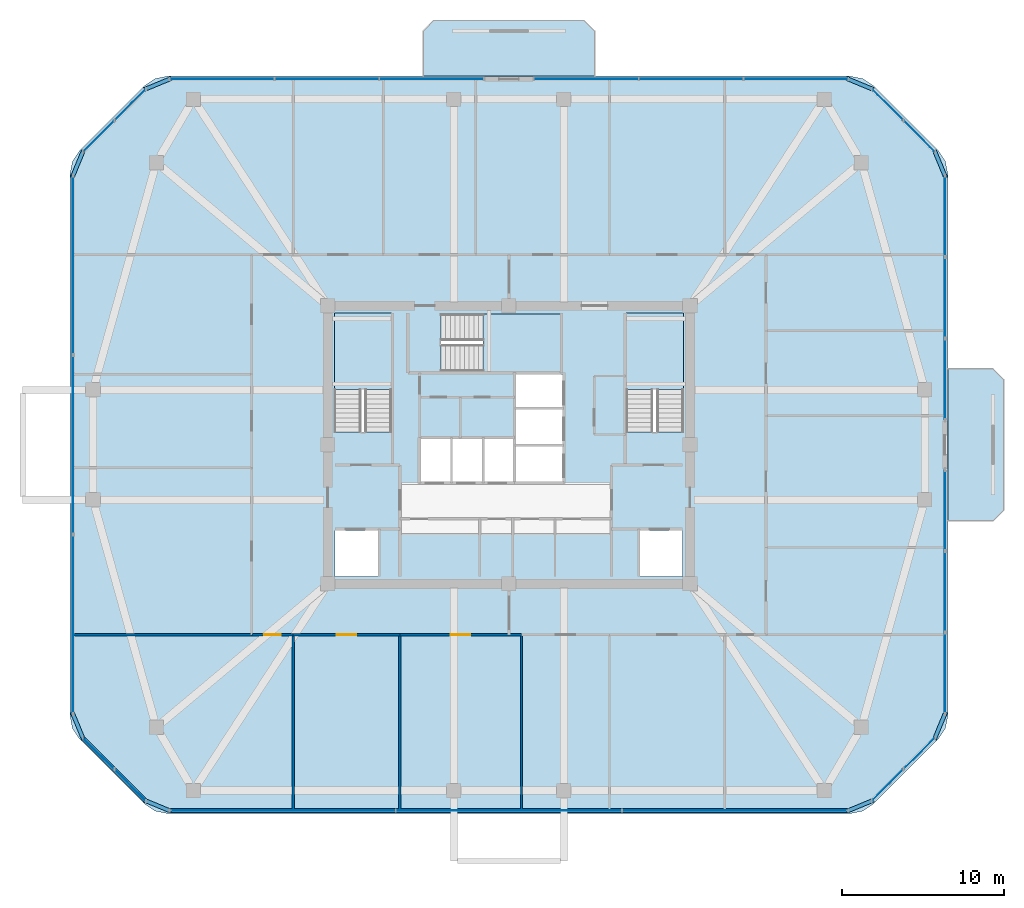
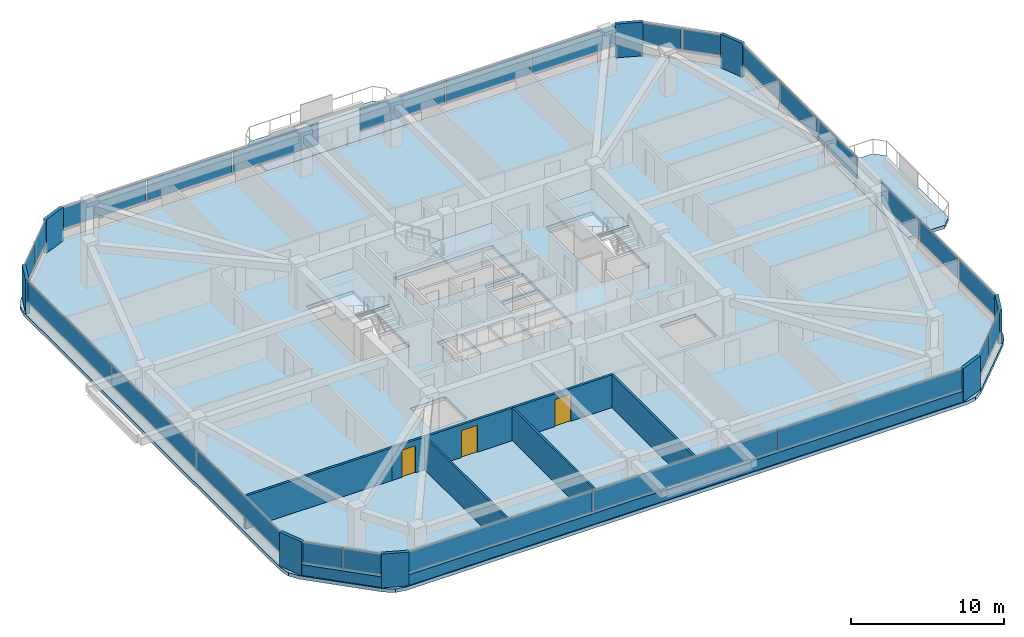
# One storey, part 8 of 14: 34 plates, 9 walls, 6 slabs, 3 doors, 3 openings, 13 elements without a shape of their own.
"""IFC4 building model written with IfcOpenShell, lengths in metres."""

from ifc_helpers import new_model, si_unit, derived_unit, direction, frame, frame_2d, origin, origin_2d, place, context, subcontext, project, spatial, polyline, rectangle, outline, extrude, material, layer, layer_set, type_object, element, fill, aggregate, save


model = new_model("IFC4")

# Units and contexts
model_context = context("Model", 3, precision=1e-05, world=origin(), true_north=direction((0.0, 1.0)))
body_context = subcontext(model_context, "Body", "Model", "MODEL_VIEW")
ifc_project = project(units=[si_unit("LENGTHUNIT", "METRE"), si_unit("AREAUNIT", "SQUARE_METRE"), si_unit("VOLUMEUNIT", "CUBIC_METRE"), si_unit("PLANEANGLEUNIT", "RADIAN"), si_unit("MASSUNIT", "GRAM", prefix="KILO"), derived_unit("THERMALTRANSMITTANCEUNIT", [(si_unit("POWERUNIT", "WATT"), 1), (si_unit("LENGTHUNIT", "METRE"), -2), (si_unit("THERMODYNAMICTEMPERATUREUNIT", "KELVIN"), -1)])], contexts=[model_context])

# Site, building, storey
site_placement = place(None, origin())
site = spatial("IfcSite", under=ifc_project, at=site_placement, CompositionType="ELEMENT")
building_placement = place(site_placement, origin())
building = spatial("IfcBuilding", under=site, at=building_placement, Name="Koralith Skygarden Medical Center", CompositionType="ELEMENT")
storey_placement = place(building_placement, frame((0.0, 0.0, 225.179931640625)))
storey = spatial("IfcBuildingStorey", under=building, at=storey_placement, Name="L58", CompositionType="ELEMENT", Elevation=225.179931640625)

# Curtain wall, plates
ifc_material_1 = material(Name="Clear Laminated Glass", Category="glass")
curtain_wall_type = type_object("IfcCurtainWallType", Name="CW-5 Zone 4 Flare Biophilic Curtain Wall", PredefinedType="NOTDEFINED", material=ifc_material_1)
curtain_wall_1_placement = place(storey_placement, origin())
curtain_wall_1 = element("IfcCurtainWall", 1, at=curtain_wall_1_placement, inside=storey, type_object=curtain_wall_type, Name="Curtain Wall CW-L58-S", PredefinedType="NOTDEFINED")
ifc_layer_1 = layer(ifc_material_1, 0.0380859375)
ifc_layer_set_1 = layer_set([ifc_layer_1], Name="Clear Laminated Glass")
plate_type_1 = type_object("IfcPlateType", Name="CW-5 Hurricane Laminated IGU Panel 38", PredefinedType="CURTAIN_PANEL", material=ifc_layer_set_1)
plate_1_placement = place(storey_placement, frame((23.009033203125, 3.280029296875, 0.919921875), z_axis=(0.0, 0.0, 1.0), x_axis=(1.0, 0.0, 0.0)))
plate_1 = element("IfcPlate", 2, at=plate_1_placement, type_object=plate_type_1, Name="CW-L58-S Glazed Panel 1", PredefinedType="CURTAIN_PANEL", context=body_context, shape_type="SweptSolid", body=[
    extrude(rectangle(XDim=13.90087890625, YDim=0.0380859375, at=origin_2d()), origin(), (0.0, 0.0, 1.0), 1.699951171875),
])
plate_2_placement = place(storey_placement, frame((37.0, 3.280029296875, 0.919921875), z_axis=(0.0, 0.0, 1.0), x_axis=(1.0, 0.0, 0.0)))
plate_2 = element("IfcPlate", 3, at=plate_2_placement, type_object=plate_type_1, Name="CW-L58-S Glazed Panel 2", PredefinedType="CURTAIN_PANEL", context=body_context, shape_type="SweptSolid", body=[
    extrude(rectangle(XDim=13.90087890625, YDim=0.0380859375, at=origin_2d()), origin(), (0.0, 0.0, 1.0), 1.699951171875),
])
plate_3_placement = place(storey_placement, frame((50.990966796875, 3.280029296875, 0.919921875), z_axis=(0.0, 0.0, 1.0), x_axis=(1.0, 0.0, 0.0)))
plate_3 = element("IfcPlate", 4, at=plate_3_placement, type_object=plate_type_1, Name="CW-L58-S Glazed Panel 3", PredefinedType="CURTAIN_PANEL", context=body_context, shape_type="SweptSolid", body=[
    extrude(rectangle(XDim=13.90087890625, YDim=0.0380859375, at=origin_2d()), origin(), (0.0, 0.0, 1.0), 1.699951171875),
])
aggregate(curtain_wall_1, [plate_1, plate_2, plate_3])

curtain_wall_2_placement = place(storey_placement, origin())
curtain_wall_2 = element("IfcCurtainWall", 5, at=curtain_wall_2_placement, inside=storey, type_object=curtain_wall_type, Name="Curtain Wall CW-L58-SE", PredefinedType="NOTDEFINED")
plate_4_placement = place(storey_placement, frame((60.4189453125, 4.862060546875, 0.919921875), z_axis=(0.0, 0.0, 1.0), x_axis=(0.707106781187, 0.707106781187, 0.0)))
plate_4 = element("IfcPlate", 6, at=plate_4_placement, type_object=plate_type_1, Name="CW-L58-SE Glazed Panel 1", PredefinedType="CURTAIN_PANEL", context=body_context, shape_type="SweptSolid", body=[
    extrude(rectangle(XDim=2.68408203125, YDim=0.0380859375, at=origin_2d()), origin(), (0.0, 0.0, 1.0), 1.699951171875),
])
plate_5_placement = place(storey_placement, frame((62.3798828125, 6.822998046875, 0.919921875), z_axis=(0.0, 0.0, 1.0), x_axis=(0.707106781187, 0.707106781187, 0.0)))
plate_5 = element("IfcPlate", 7, at=plate_5_placement, type_object=plate_type_1, Name="CW-L58-SE Glazed Panel 2", PredefinedType="CURTAIN_PANEL", context=body_context, shape_type="SweptSolid", body=[
    extrude(rectangle(XDim=2.68408203125, YDim=0.0380859375, at=origin_2d()), origin(), (0.0, 0.0, 1.0), 1.699951171875),
])
aggregate(curtain_wall_2, [plate_4, plate_5])

curtain_wall_3_placement = place(storey_placement, origin())
curtain_wall_3 = element("IfcCurtainWall", 8, at=curtain_wall_3_placement, inside=storey, type_object=curtain_wall_type, Name="Curtain Wall CW-L58-E-L", PredefinedType="NOTDEFINED")
plate_6_placement = place(storey_placement, frame((63.9619140625, 11.77294921875, 0.919921875), z_axis=(0.0, 0.0, 1.0), x_axis=(0.0, 1.0, 0.0)))
plate_6 = element("IfcPlate", 9, at=plate_6_placement, type_object=plate_type_1, Name="CW-L58-E-L Glazed Panel 1", PredefinedType="CURTAIN_PANEL", context=body_context, shape_type="SweptSolid", body=[
    extrude(rectangle(XDim=4.945068359375, YDim=0.0380859375, at=origin_2d()), origin(), (0.0, 0.0, 1.0), 1.699951171875),
])
plate_7_placement = place(storey_placement, frame((63.9619140625, 16.806884765625, 0.919921875), z_axis=(0.0, 0.0, 1.0), x_axis=(0.0, 1.0, 0.0)))
plate_7 = element("IfcPlate", 10, at=plate_7_placement, type_object=plate_type_1, Name="CW-L58-E-L Glazed Panel 2", PredefinedType="CURTAIN_PANEL", context=body_context, shape_type="SweptSolid", body=[
    extrude(rectangle(XDim=4.945068359375, YDim=0.0380859375, at=origin_2d()), origin(), (0.0, 0.0, 1.0), 1.699951171875),
])
plate_8_placement = place(storey_placement, frame((63.9619140625, 21.843017578125, 0.919921875), z_axis=(0.0, 0.0, 1.0), x_axis=(0.0, 1.0, 0.0)))
plate_8 = element("IfcPlate", 11, at=plate_8_placement, type_object=plate_type_1, Name="CW-L58-E-L Glazed Panel 3", PredefinedType="CURTAIN_PANEL", context=body_context, shape_type="SweptSolid", body=[
    extrude(rectangle(XDim=4.945068359375, YDim=0.0380859375, at=origin_2d()), origin(), (0.0, 0.0, 1.0), 1.699951171875),
])
aggregate(curtain_wall_3, [plate_6, plate_7, plate_8])

curtain_wall_4_placement = place(storey_placement, origin())
curtain_wall_4 = element("IfcCurtainWall", 12, at=curtain_wall_4_placement, inside=storey, type_object=curtain_wall_type, Name="Curtain Wall CW-L58-E-R", PredefinedType="NOTDEFINED")
plate_9_placement = place(storey_placement, frame((63.9619140625, 29.9580078125, 0.919921875), z_axis=(0.0, 0.0, 1.0), x_axis=(0.0, 1.0, 0.0)))
plate_9 = element("IfcPlate", 13, at=plate_9_placement, type_object=plate_type_1, Name="CW-L58-E-R Glazed Panel 1", PredefinedType="CURTAIN_PANEL", context=body_context, shape_type="SweptSolid", body=[
    extrude(rectangle(XDim=4.945068359375, YDim=0.0380859375, at=origin_2d()), origin(), (0.0, 0.0, 1.0), 1.699951171875),
])
plate_10_placement = place(storey_placement, frame((63.9619140625, 34.991943359375, 0.919921875), z_axis=(0.0, 0.0, 1.0), x_axis=(0.0, 1.0, 0.0)))
plate_10 = element("IfcPlate", 14, at=plate_10_placement, type_object=plate_type_1, Name="CW-L58-E-R Glazed Panel 2", PredefinedType="CURTAIN_PANEL", context=body_context, shape_type="SweptSolid", body=[
    extrude(rectangle(XDim=4.945068359375, YDim=0.0380859375, at=origin_2d()), origin(), (0.0, 0.0, 1.0), 1.699951171875),
])
plate_11_placement = place(storey_placement, frame((63.9619140625, 40.028076171875, 0.919921875), z_axis=(0.0, 0.0, 1.0), x_axis=(0.0, 1.0, 0.0)))
plate_11 = element("IfcPlate", 15, at=plate_11_placement, type_object=plate_type_1, Name="CW-L58-E-R Glazed Panel 3", PredefinedType="CURTAIN_PANEL", context=body_context, shape_type="SweptSolid", body=[
    extrude(rectangle(XDim=4.945068359375, YDim=0.0380859375, at=origin_2d()), origin(), (0.0, 0.0, 1.0), 1.699951171875),
])
aggregate(curtain_wall_4, [plate_9, plate_10, plate_11])

curtain_wall_5_placement = place(storey_placement, origin())
curtain_wall_5 = element("IfcCurtainWall", 16, at=curtain_wall_5_placement, inside=storey, type_object=curtain_wall_type, Name="Curtain Wall CW-L58-NE", PredefinedType="NOTDEFINED")
plate_12_placement = place(storey_placement, frame((62.3798828125, 44.97705078125, 0.919921875), z_axis=(0.0, 0.0, 1.0), x_axis=(-0.707106781187, 0.707106781187, 0.0)))
plate_12 = element("IfcPlate", 17, at=plate_12_placement, type_object=plate_type_1, Name="CW-L58-NE Glazed Panel 1", PredefinedType="CURTAIN_PANEL", context=body_context, shape_type="SweptSolid", body=[
    extrude(rectangle(XDim=2.68408203125, YDim=0.0380859375, at=origin_2d()), origin(), (0.0, 0.0, 1.0), 1.699951171875),
])
plate_13_placement = place(storey_placement, frame((60.4189453125, 46.93798828125, 0.919921875), z_axis=(0.0, 0.0, 1.0), x_axis=(-0.707106781187, 0.707106781187, 0.0)))
plate_13 = element("IfcPlate", 18, at=plate_13_placement, type_object=plate_type_1, Name="CW-L58-NE Glazed Panel 2", PredefinedType="CURTAIN_PANEL", context=body_context, shape_type="SweptSolid", body=[
    extrude(rectangle(XDim=2.68408203125, YDim=0.0380859375, at=origin_2d()), origin(), (0.0, 0.0, 1.0), 1.699951171875),
])
aggregate(curtain_wall_5, [plate_12, plate_13])

curtain_wall_6_placement = place(storey_placement, origin())
curtain_wall_6 = element("IfcCurtainWall", 19, at=curtain_wall_6_placement, inside=storey, type_object=curtain_wall_type, Name="Curtain Wall CW-L58-N-L", PredefinedType="NOTDEFINED")
plate_14_placement = place(storey_placement, frame((54.74609375, 48.52001953125, 0.919921875), z_axis=(0.0, 0.0, 1.0), x_axis=(-1.0, 0.0, 0.0)))
plate_14 = element("IfcPlate", 20, at=plate_14_placement, type_object=plate_type_1, Name="CW-L58-N-L Glazed Panel 1", PredefinedType="CURTAIN_PANEL", context=body_context, shape_type="SweptSolid", body=[
    extrude(rectangle(XDim=6.39208984375, YDim=0.0380859375, at=origin_2d()), origin(), (0.0, 0.0, 1.0), 1.699951171875),
])
plate_15_placement = place(storey_placement, frame((48.263916015625, 48.52001953125, 0.919921875), z_axis=(0.0, 0.0, 1.0), x_axis=(-1.0, 0.0, 0.0)))
plate_15 = element("IfcPlate", 21, at=plate_15_placement, type_object=plate_type_1, Name="CW-L58-N-L Glazed Panel 2", PredefinedType="CURTAIN_PANEL", context=body_context, shape_type="SweptSolid", body=[
    extrude(rectangle(XDim=6.39208984375, YDim=0.0380859375, at=origin_2d()), origin(), (0.0, 0.0, 1.0), 1.699951171875),
])
plate_16_placement = place(storey_placement, frame((41.781982421875, 48.52001953125, 0.919921875), z_axis=(0.0, 0.0, 1.0), x_axis=(-1.0, 0.0, 0.0)))
plate_16 = element("IfcPlate", 22, at=plate_16_placement, type_object=plate_type_1, Name="CW-L58-N-L Glazed Panel 3", PredefinedType="CURTAIN_PANEL", context=body_context, shape_type="SweptSolid", body=[
    extrude(rectangle(XDim=6.39208984375, YDim=0.0380859375, at=origin_2d()), origin(), (0.0, 0.0, 1.0), 1.699951171875),
])
aggregate(curtain_wall_6, [plate_14, plate_15, plate_16])

curtain_wall_7_placement = place(storey_placement, origin())
curtain_wall_7 = element("IfcCurtainWall", 23, at=curtain_wall_7_placement, inside=storey, type_object=curtain_wall_type, Name="Curtain Wall CW-L58-N-R", PredefinedType="NOTDEFINED")
plate_17_placement = place(storey_placement, frame((32.219970703125, 48.52001953125, 0.919921875), z_axis=(0.0, 0.0, 1.0), x_axis=(-1.0, 0.0, 0.0)))
plate_17 = element("IfcPlate", 24, at=plate_17_placement, type_object=plate_type_1, Name="CW-L58-N-R Glazed Panel 1", PredefinedType="CURTAIN_PANEL", context=body_context, shape_type="SweptSolid", body=[
    extrude(rectangle(XDim=6.39306640625, YDim=0.0380859375, at=origin_2d()), origin(), (0.0, 0.0, 1.0), 1.699951171875),
])
plate_18_placement = place(storey_placement, frame((25.737060546875, 48.52001953125, 0.919921875), z_axis=(0.0, 0.0, 1.0), x_axis=(-1.0, 0.0, 0.0)))
plate_18 = element("IfcPlate", 25, at=plate_18_placement, type_object=plate_type_1, Name="CW-L58-N-R Glazed Panel 2", PredefinedType="CURTAIN_PANEL", context=body_context, shape_type="SweptSolid", body=[
    extrude(rectangle(XDim=6.39306640625, YDim=0.0380859375, at=origin_2d()), origin(), (0.0, 0.0, 1.0), 1.699951171875),
])
plate_19_placement = place(storey_placement, frame((19.25390625, 48.52001953125, 0.919921875), z_axis=(0.0, 0.0, 1.0), x_axis=(-1.0, 0.0, 0.0)))
plate_19 = element("IfcPlate", 26, at=plate_19_placement, type_object=plate_type_1, Name="CW-L58-N-R Glazed Panel 3", PredefinedType="CURTAIN_PANEL", context=body_context, shape_type="SweptSolid", body=[
    extrude(rectangle(XDim=6.39306640625, YDim=0.0380859375, at=origin_2d()), origin(), (0.0, 0.0, 1.0), 1.699951171875),
])
aggregate(curtain_wall_7, [plate_17, plate_18, plate_19])

curtain_wall_8_placement = place(storey_placement, origin())
curtain_wall_8 = element("IfcCurtainWall", 27, at=curtain_wall_8_placement, inside=storey, type_object=curtain_wall_type, Name="Curtain Wall CW-L58-NW", PredefinedType="NOTDEFINED")
plate_20_placement = place(storey_placement, frame((13.5810546875, 46.93798828125, 0.919921875), z_axis=(0.0, 0.0, 1.0), x_axis=(-0.707106781187, -0.707106781187, 0.0)))
plate_20 = element("IfcPlate", 28, at=plate_20_placement, type_object=plate_type_1, Name="CW-L58-NW Glazed Panel 1", PredefinedType="CURTAIN_PANEL", context=body_context, shape_type="SweptSolid", body=[
    extrude(rectangle(XDim=2.68408203125, YDim=0.0380859375, at=origin_2d()), origin(), (0.0, 0.0, 1.0), 1.699951171875),
])
plate_21_placement = place(storey_placement, frame((11.6201171875, 44.97705078125, 0.919921875), z_axis=(0.0, 0.0, 1.0), x_axis=(-0.707106781187, -0.707106781187, 0.0)))
plate_21 = element("IfcPlate", 29, at=plate_21_placement, type_object=plate_type_1, Name="CW-L58-NW Glazed Panel 2", PredefinedType="CURTAIN_PANEL", context=body_context, shape_type="SweptSolid", body=[
    extrude(rectangle(XDim=2.68408203125, YDim=0.0380859375, at=origin_2d()), origin(), (0.0, 0.0, 1.0), 1.699951171875),
])
aggregate(curtain_wall_8, [plate_20, plate_21])

curtain_wall_9_placement = place(storey_placement, origin())
curtain_wall_9 = element("IfcCurtainWall", 30, at=curtain_wall_9_placement, inside=storey, type_object=curtain_wall_type, Name="Curtain Wall CW-L58-W", PredefinedType="NOTDEFINED")
plate_22_placement = place(storey_placement, frame((10.0380859375, 36.9970703125, 0.919921875), z_axis=(0.0, 0.0, 1.0), x_axis=(0.0, -1.0, 0.0)))
plate_22 = element("IfcPlate", 31, at=plate_22_placement, type_object=plate_type_1, Name="CW-L58-W Glazed Panel 1", PredefinedType="CURTAIN_PANEL", context=body_context, shape_type="SweptSolid", body=[
    extrude(rectangle(XDim=11.007080078125, YDim=0.0380859375, at=origin_2d()), origin(), (0.0, 0.0, 1.0), 1.699951171875),
])
plate_23_placement = place(storey_placement, frame((10.0380859375, 25.89990234375, 0.919921875), z_axis=(0.0, 0.0, 1.0), x_axis=(0.0, -1.0, 0.0)))
plate_23 = element("IfcPlate", 32, at=plate_23_placement, type_object=plate_type_1, Name="CW-L58-W Glazed Panel 2", PredefinedType="CURTAIN_PANEL", context=body_context, shape_type="SweptSolid", body=[
    extrude(rectangle(XDim=11.007080078125, YDim=0.0380859375, at=origin_2d()), origin(), (0.0, 0.0, 1.0), 1.699951171875),
])
plate_24_placement = place(storey_placement, frame((10.0380859375, 14.802978515625, 0.919921875), z_axis=(0.0, 0.0, 1.0), x_axis=(0.0, -1.0, 0.0)))
plate_24 = element("IfcPlate", 33, at=plate_24_placement, type_object=plate_type_1, Name="CW-L58-W Glazed Panel 3", PredefinedType="CURTAIN_PANEL", context=body_context, shape_type="SweptSolid", body=[
    extrude(rectangle(XDim=11.007080078125, YDim=0.0380859375, at=origin_2d()), origin(), (0.0, 0.0, 1.0), 1.699951171875),
])
aggregate(curtain_wall_9, [plate_22, plate_23, plate_24])

curtain_wall_10_placement = place(storey_placement, origin())
curtain_wall_10 = element("IfcCurtainWall", 34, at=curtain_wall_10_placement, inside=storey, type_object=curtain_wall_type, Name="Curtain Wall CW-L58-SW", PredefinedType="NOTDEFINED")
plate_25_placement = place(storey_placement, frame((11.6201171875, 6.822998046875, 0.919921875), z_axis=(0.0, 0.0, 1.0), x_axis=(0.707106781187, -0.707106781187, 0.0)))
plate_25 = element("IfcPlate", 35, at=plate_25_placement, type_object=plate_type_1, Name="CW-L58-SW Glazed Panel 1", PredefinedType="CURTAIN_PANEL", context=body_context, shape_type="SweptSolid", body=[
    extrude(rectangle(XDim=2.68408203125, YDim=0.0380859375, at=origin_2d()), origin(), (0.0, 0.0, 1.0), 1.699951171875),
])
plate_26_placement = place(storey_placement, frame((13.5810546875, 4.862060546875, 0.919921875), z_axis=(0.0, 0.0, 1.0), x_axis=(0.707106781187, -0.707106781187, 0.0)))
plate_26 = element("IfcPlate", 36, at=plate_26_placement, type_object=plate_type_1, Name="CW-L58-SW Glazed Panel 2", PredefinedType="CURTAIN_PANEL", context=body_context, shape_type="SweptSolid", body=[
    extrude(rectangle(XDim=2.68408203125, YDim=0.0380859375, at=origin_2d()), origin(), (0.0, 0.0, 1.0), 1.699951171875),
])
aggregate(curtain_wall_10, [plate_25, plate_26])

# Slabs
ifc_material_2 = material(Name="Concrete C45/55", Category="concrete")
ifc_layer_2 = layer(ifc_material_2, 0.260009765625)
ifc_layer_set_2 = layer_set([ifc_layer_2], Name="Concrete C45/55")
slab_type_1 = type_object("IfcSlabType", Name="Cantilevered Planted Balcony Slab 260", PredefinedType="FLOOR", material=ifc_layer_set_2)
slab_1_placement = place(storey_placement, frame((0.0, 0.0, -0.260009765625)))
element("IfcSlab", 37, at=slab_1_placement, inside=storey, type_object=slab_type_1, Name="L58 N Planted Sky-Garden Balcony Slab", PredefinedType="FLOOR", context=body_context, shape_type="SweptSolid", body=[
    extrude(outline(polyline([(31.699951171875, 48.699951171875), (42.300048828125, 48.699951171875), (42.300048828125, 51.5), (41.64990234375, 52.14990234375), (32.35009765625, 52.14990234375), (31.699951171875, 51.5), (31.699951171875, 48.699951171875)])), origin(), (0.0, 0.0, 1.0), 0.260009765625),
])
slab_2_placement = place(storey_placement, frame((0.0, 0.0, -0.260009765625)))
element("IfcSlab", 38, at=slab_2_placement, inside=storey, type_object=slab_type_1, Name="L58 E Planted Sky-Garden Balcony Slab", PredefinedType="FLOOR", context=body_context, shape_type="SweptSolid", body=[
    extrude(outline(polyline([(64.14208984375, 21.199951171875), (66.94189453125, 21.199951171875), (67.592041015625, 21.85009765625), (67.592041015625, 29.949951171875), (66.94189453125, 30.60009765625), (64.14208984375, 30.60009765625), (64.14208984375, 21.199951171875)])), origin(), (0.0, 0.0, 1.0), 0.260009765625),
])

# Stair, slab
stair_type = type_object("IfcStairType", Name="Core Exit Dogleg Concrete Stair", PredefinedType="HALF_TURN_STAIR", material=ifc_material_2)
stair_1_placement = place(storey_placement, origin())
stair_1 = element("IfcStair", 39, at=stair_1_placement, inside=storey, type_object=stair_type, Name="L58 Smokeproof Exit Stair ST1", PredefinedType="HALF_TURN_STAIR")
ifc_layer_3 = layer(ifc_material_2, 0.199951171875)
ifc_layer_set_3 = layer_set([ifc_layer_3], Name="Concrete C45/55")
slab_type_2 = type_object("IfcSlabType", Name="Core Exit Concrete Stair Landing 200", PredefinedType="LANDING", material=ifc_layer_set_3)
slab_3_placement = place(storey_placement, frame((0.0, 0.0, 1.60009765625)))
slab_3 = element("IfcSlab", 40, at=slab_3_placement, type_object=slab_type_2, Name="ST1 landing 1", PredefinedType="LANDING", context=body_context, shape_type="SweptSolid", body=[
    extrude(outline(polyline([(29.75, 29.31005859375), (29.75, 34.050048828125), (26.199951171875, 34.050048828125), (26.199951171875, 29.31005859375), (29.75, 29.31005859375)])), origin(), (0.0, 0.0, 1.0), 0.199951171875),
])
aggregate(stair_1, [slab_3])

stair_2_placement = place(storey_placement, origin())
stair_2 = element("IfcStair", 41, at=stair_2_placement, inside=storey, type_object=stair_type, Name="L58 Smokeproof Exit Stair ST2", PredefinedType="HALF_TURN_STAIR")
slab_4_placement = place(storey_placement, frame((0.0, 0.0, 1.60009765625)))
slab_4 = element("IfcSlab", 42, at=slab_4_placement, type_object=slab_type_2, Name="ST2 landing 1", PredefinedType="LANDING", context=body_context, shape_type="SweptSolid", body=[
    extrude(outline(polyline([(47.800048828125, 29.31005859375), (47.800048828125, 34.050048828125), (44.25, 34.050048828125), (44.25, 29.31005859375), (47.800048828125, 29.31005859375)])), origin(), (0.0, 0.0, 1.0), 0.199951171875),
])
aggregate(stair_2, [slab_4])

stair_3_placement = place(storey_placement, origin())
stair_3 = element("IfcStair", 43, at=stair_3_placement, inside=storey, type_object=stair_type, Name="L58 Smokeproof Exit Stair ST3", PredefinedType="HALF_TURN_STAIR")
slab_5_placement = place(storey_placement, frame((0.0, 0.0, 1.60009765625)))
slab_5 = element("IfcSlab", 44, at=slab_5_placement, type_object=slab_type_2, Name="ST3 landing 1", PredefinedType="LANDING", context=body_context, shape_type="SweptSolid", body=[
    extrude(outline(polyline([(35.409912109375, 30.449951171875), (40.199951171875, 30.449951171875), (40.199951171875, 34.0), (35.409912109375, 34.0), (35.409912109375, 30.449951171875)])), origin(), (0.0, 0.0, 1.0), 0.199951171875),
])
aggregate(stair_3, [slab_5])

# Slab
ifc_layer_4 = layer(ifc_material_2, 0.280029296875)
ifc_layer_set_4 = layer_set([ifc_layer_4], Name="Concrete C45/55")
slab_type_3 = type_object("IfcSlabType", Name="Post-Tensioned Ward Floor Plate 280", PredefinedType="FLOOR", material=ifc_layer_set_4)
slab_6_placement = place(storey_placement, frame((0.0, 0.0, -0.280029296875)))
element("IfcSlab", 45, at=slab_6_placement, inside=storey, type_object=slab_type_3, Name="Level L58 Structural Floor Slab", PredefinedType="FLOOR", context=body_context, shape_type="SweptSolid", body=[
    extrude(outline(polyline([(14.471923828125, 3.68603515625), (15.12109375, 3.251953125), (15.885986328125, 3.10009765625), (58.114013671875, 3.10009765625), (58.87890625, 3.251953125), (59.528076171875, 3.68603515625), (63.555908203125, 7.714111328125), (63.989990234375, 8.363037109375), (64.14208984375, 9.1279296875), (64.14208984375, 42.672119140625), (63.989990234375, 43.43701171875), (63.555908203125, 44.0859375), (59.528076171875, 48.114013671875), (58.87890625, 48.548095703125), (58.114013671875, 48.699951171875), (15.885986328125, 48.699951171875), (15.12109375, 48.548095703125), (14.471923828125, 48.114013671875), (10.444091796875, 44.0859375), (10.010009765625, 43.43701171875), (9.85791015625, 42.672119140625), (9.85791015625, 9.1279296875), (10.010009765625, 8.363037109375), (10.444091796875, 7.714111328125), (14.471923828125, 3.68603515625)]), holes=[polyline([(26.199951171875, 26.705078125), (29.75, 26.705078125), (29.75, 34.050048828125), (26.199951171875, 34.050048828125), (26.199951171875, 26.705078125)]), polyline([(44.25, 26.705078125), (47.800048828125, 26.705078125), (47.800048828125, 34.050048828125), (44.25, 34.050048828125), (44.25, 26.705078125)]), polyline([(32.804931640625, 30.449951171875), (40.199951171875, 30.449951171875), (40.199951171875, 34.0), (32.804931640625, 34.0), (32.804931640625, 30.449951171875)]), polyline([(26.25, 17.75), (28.89990234375, 17.75), (28.89990234375, 20.60009765625), (26.25, 20.60009765625), (26.25, 17.75)]), polyline([(45.10009765625, 17.75), (47.75, 17.75), (47.75, 20.60009765625), (45.10009765625, 20.60009765625), (45.10009765625, 17.75)]), polyline([(31.550048828125, 23.64990234375), (33.39990234375, 23.64990234375), (33.39990234375, 26.25), (31.550048828125, 26.25), (31.550048828125, 23.64990234375)]), polyline([(33.5, 23.64990234375), (35.35009765625, 23.64990234375), (35.35009765625, 26.25), (33.5, 26.25), (33.5, 23.64990234375)]), polyline([(35.449951171875, 23.64990234375), (37.300048828125, 23.64990234375), (37.300048828125, 26.25), (35.449951171875, 26.25), (35.449951171875, 23.64990234375)]), polyline([(37.449951171875, 23.64990234375), (40.300048828125, 23.64990234375), (40.300048828125, 25.800048828125), (37.449951171875, 25.800048828125), (37.449951171875, 23.64990234375)]), polyline([(37.449951171875, 25.949951171875), (40.300048828125, 25.949951171875), (40.300048828125, 28.10009765625), (37.449951171875, 28.10009765625), (37.449951171875, 25.949951171875)]), polyline([(37.449951171875, 28.25), (40.300048828125, 28.25), (40.300048828125, 30.25), (37.449951171875, 30.25), (37.449951171875, 28.25)])]), origin(), (0.0, 0.0, 1.0), 0.280029296875),
])

# Plates
ifc_material_3 = material(Name="Warm Oolitic Limestone Cladding", Category="masonry")
ifc_layer_5 = layer(ifc_material_3, 0.239990234375)
ifc_layer_set_5 = layer_set([ifc_layer_5], Name="Warm Oolitic Limestone Cladding")
plate_type_2 = type_object("IfcPlateType", Name="Rounded-Corner Oolitic Limestone Cladding Panel 240", PredefinedType="USERDEFINED", material=ifc_layer_set_5)
for number, where, z_axis, x_axis, name in (
    (46, (58.712890625, 3.580078125, 0.0), (0.0, 0.0, 1.0), (0.92388487569, 0.382670532536, 0.0), "L58 Rounded-Corner Limestone Pier 1"),
    (47, (63.662109375, 8.530029296875, 0.0), (0.0, 0.0, 1.0), (0.382670532536, 0.92388487569, 0.0), "L58 Rounded-Corner Limestone Pier 2"),
    (48, (63.662109375, 43.27001953125, 0.0), (0.0, 0.0, 1.0), (-0.382670532536, 0.92388487569, 0.0), "L58 Rounded-Corner Limestone Pier 3"),
    (49, (58.712890625, 48.218994140625, 0.0), (0.0, 0.0, 1.0), (-0.92388487569, 0.382670532536, 0.0), "L58 Rounded-Corner Limestone Pier 4"),
    (50, (15.2880859375, 48.218994140625, 0.0), (0.0, 0.0, 1.0), (-0.92388487569, -0.382670532536, 0.0), "L58 Rounded-Corner Limestone Pier 5"),
    (51, (10.337890625, 43.27001953125, 0.0), (0.0, 0.0, 1.0), (-0.382670532536, -0.92388487569, 0.0), "L58 Rounded-Corner Limestone Pier 6"),
    (52, (10.337890625, 8.530029296875, 0.0), (0.0, 0.0, 1.0), (0.382670532536, -0.92388487569, 0.0), "L58 Rounded-Corner Limestone Pier 7"),
    (53, (15.2880859375, 3.580078125, 0.0), (0.0, 0.0, 1.0), (0.92388487569, -0.382670532536, 0.0), "L58 Rounded-Corner Limestone Pier 8"),
):
    element("IfcPlate", number, at=place(storey_placement, frame(where, z_axis=z_axis, x_axis=x_axis)), inside=storey, type_object=plate_type_2, Name=name, ObjectType="LIMESTONE CLADDING", PredefinedType="USERDEFINED", context=body_context, shape_type="SweptSolid", body=[
        extrude(rectangle(XDim=1.81103515625, YDim=0.239990234375, at=origin_2d()), origin(), (0.0, 0.0, 1.0), 2.68994140625),
    ])

# Walls
ifc_material_4 = material(Name="Gypsum Board Partition")
ifc_layer_6 = layer(ifc_material_4, 0.14990234375)
ifc_layer_set_6 = layer_set([ifc_layer_6], Name="Gypsum Board Partition")
wall_type_1 = type_object("IfcWallType", Name="Clinical Acoustic Partition 150", PredefinedType="PARTITIONING", material=ifc_layer_set_6)
for number, where, z_axis, x_axis, name in (
    (54, (23.64990234375, 14.14990234375, 0.0), (0.0, 0.0, 1.0), (0.0, -1.0, 0.0), "L58 Clinical Acoustic Partition 150 W-PART-L58-S-01"),
    (55, (30.260009765625, 14.14990234375, 0.0), (0.0, 0.0, 1.0), (0.0, -1.0, 0.0), "L58 Clinical Acoustic Partition 150 W-PART-L58-S-02"),
    (56, (37.777099609375, 14.14990234375, 0.0), (0.0, 0.0, 1.0), (0.0, -1.0, 0.0), "L58 Clinical Acoustic Partition 150 W-PART-L58-S-03"),
):
    element("IfcWall", number, at=place(storey_placement, frame(where, z_axis=z_axis, x_axis=x_axis)), inside=storey, type_object=wall_type_1, Name=name, PredefinedType="PARTITIONING", context=body_context, shape_type="SweptSolid", body=[
        extrude(rectangle(XDim=10.849853515625, YDim=0.14990234375, at=frame_2d((5.4248046875, 0.0))), origin(), (0.0, 0.0, 1.0), 2.610107421875),
    ])
ifc_layer_7 = layer(ifc_material_4, 0.1650390625)
ifc_layer_set_7 = layer_set([ifc_layer_7], Name="Gypsum Board Partition")
wall_type_2 = type_object("IfcWallType", Name="Clinical Corridor Partition 165", PredefinedType="PARTITIONING", material=ifc_layer_set_7)
wall_1_placement = place(storey_placement, frame((10.05810546875, 14.14990234375, 0.0), z_axis=(0.0, 0.0, 1.0), x_axis=(1.0, 0.0, 0.0)))
element("IfcWall", 57, at=wall_1_placement, inside=storey, type_object=wall_type_2, Name="L58 Clinical Corridor Partition 165 W-WB-L58-SW", PredefinedType="PARTITIONING", context=body_context, shape_type="SweptSolid", body=[
    extrude(rectangle(XDim=11.0419921875, YDim=0.1650390625, at=frame_2d((5.52099609375, 0.0))), origin(), (0.0, 0.0, 1.0), 2.610107421875),
])

# Wall, opening, door
wall_2_placement = place(storey_placement, frame((21.10009765625, 14.14990234375, 0.0), z_axis=(0.0, 0.0, 1.0), x_axis=(1.0, 0.0, 0.0)))
wall_2 = element("IfcWall", 58, at=wall_2_placement, inside=storey, type_object=wall_type_2, Name="L58 Clinical Corridor Partition 165 W-CORR-L58-S-01", PredefinedType="PARTITIONING", context=body_context, shape_type="SweptSolid", body=[
    extrude(rectangle(XDim=2.5498046875, YDim=0.1650390625, at=frame_2d((1.27490234375, 0.0))), origin(), (0.0, 0.0, 1.0), 2.610107421875),
])
opening_1_placement = place(wall_2_placement, frame((0.77490234375, 0.0, 0.0)))
opening_1 = element("IfcOpeningElement", 59, at=opening_1_placement, cuts=wall_2, Name="Opening D-SUP", PredefinedType="OPENING", context=body_context, shape_type="SweptSolid", body=[
    extrude(rectangle(XDim=1.0, YDim=2.14990234375, at=frame_2d((0.5, 1.074951171875))), frame((0.0, 0.092529296875, 0.0), z_axis=(0.0, -1.0, 0.0), x_axis=(1.0, 0.0, 0.0)), (0.0, 0.0, 1.0), 0.18505859375),
])
ifc_material_5 = material(Name="Aluminium 6063-T6", Category="aluminium")
door_type_1 = type_object("IfcDoorType", Name="Clinical Support Door D-SUP 1000", OperationType="NOTDEFINED", PredefinedType="DOOR", material=ifc_material_5)
door_1_placement = place(opening_1_placement, frame((1.0, 0.0, 0.0), z_axis=(0.0, 0.0, 1.0), x_axis=(-1.0, 0.0, 0.0)))
door_1 = element("IfcDoor", 60, at=door_1_placement, inside=storey, type_object=door_type_1, Name="L58 Care Coordinator Office 07 Door", OperationType="SINGLE_SWING_RIGHT", OverallHeight=2.14990234375, OverallWidth=1.0, PredefinedType="DOOR", context=body_context, shape_type="SweptSolid", body=[
    extrude(rectangle(XDim=1.0, YDim=2.14990234375, at=frame_2d((0.5, 1.074951171875))), frame((0.0, 0.02490234375, 0.0), z_axis=(0.0, -1.0, 0.0), x_axis=(1.0, 0.0, 0.0)), (0.0, 0.0, 1.0), 0.050048828125),
])
fill(opening_1, door_1)

wall_3_placement = place(storey_placement, frame((23.64990234375, 14.14990234375, 0.0), z_axis=(0.0, 0.0, 1.0), x_axis=(1.0, 0.0, 0.0)))
wall_3 = element("IfcWall", 61, at=wall_3_placement, inside=storey, type_object=wall_type_2, Name="L58 Clinical Corridor Partition 165 W-CORR-L58-S-02", PredefinedType="PARTITIONING", context=body_context, shape_type="SweptSolid", body=[
    extrude(rectangle(XDim=6.610107421875, YDim=0.1650390625, at=frame_2d((3.30517578125, 0.0))), origin(), (0.0, 0.0, 1.0), 2.610107421875),
])
opening_2_placement = place(wall_3_placement, frame((2.705078125, 0.0, 0.0)))
opening_2 = element("IfcOpeningElement", 62, at=opening_2_placement, cuts=wall_3, Name="Opening D-CLN", PredefinedType="OPENING", context=body_context, shape_type="SweptSolid", body=[
    extrude(rectangle(XDim=1.199951171875, YDim=2.14990234375, at=frame_2d((0.60009765625, 1.074951171875))), frame((0.0, 0.092529296875, 0.0), z_axis=(0.0, -1.0, 0.0), x_axis=(1.0, 0.0, 0.0)), (0.0, 0.0, 1.0), 0.18505859375),
])
door_type_2 = type_object("IfcDoorType", Name="Clinical Corridor Door D-CLN 1200", OperationType="NOTDEFINED", PredefinedType="DOOR", material=ifc_material_5)
door_2_placement = place(opening_2_placement, frame((1.199951171875, 0.0, 0.0), z_axis=(0.0, 0.0, 1.0), x_axis=(-1.0, 0.0, 0.0)))
door_2 = element("IfcDoor", 63, at=door_2_placement, inside=storey, type_object=door_type_2, Name="L58 Sterile Supply Equipment Store 08 Door", OperationType="SINGLE_SWING_LEFT", OverallHeight=2.14990234375, OverallWidth=1.199951171875, PredefinedType="DOOR", context=body_context, shape_type="SweptSolid", body=[
    extrude(rectangle(XDim=1.199951171875, YDim=2.14990234375, at=frame_2d((0.60009765625, 1.074951171875))), frame((0.0, 0.02490234375, 0.0), z_axis=(0.0, -1.0, 0.0), x_axis=(1.0, 0.0, 0.0)), (0.0, 0.0, 1.0), 0.050048828125),
])
fill(opening_2, door_2)

wall_4_placement = place(storey_placement, frame((30.260009765625, 14.14990234375, 0.0), z_axis=(0.0, 0.0, 1.0), x_axis=(1.0, 0.0, 0.0)))
wall_4 = element("IfcWall", 64, at=wall_4_placement, inside=storey, type_object=wall_type_2, Name="L58 Clinical Corridor Partition 165 W-CORR-L58-S-03", PredefinedType="PARTITIONING", context=body_context, shape_type="SweptSolid", body=[
    extrude(rectangle(XDim=7.51708984375, YDim=0.1650390625, at=frame_2d((3.758544921875, 0.0))), origin(), (0.0, 0.0, 1.0), 2.610107421875),
])
opening_3_placement = place(wall_4_placement, frame((3.157958984375, 0.0, 0.0)))
opening_3 = element("IfcOpeningElement", 65, at=opening_3_placement, cuts=wall_4, Name="Opening D-CLN", PredefinedType="OPENING", context=body_context, shape_type="SweptSolid", body=[
    extrude(rectangle(XDim=1.199951171875, YDim=2.14990234375, at=frame_2d((0.60009765625, 1.074951171875))), frame((0.0, 0.092529296875, 0.0), z_axis=(0.0, -1.0, 0.0), x_axis=(1.0, 0.0, 0.0)), (0.0, 0.0, 1.0), 0.18505859375),
])
door_3_placement = place(opening_3_placement, frame((1.199951171875, 0.0, 0.0), z_axis=(0.0, 0.0, 1.0), x_axis=(-1.0, 0.0, 0.0)))
door_3 = element("IfcDoor", 66, at=door_3_placement, inside=storey, type_object=door_type_2, Name="L58 Clinical Consultation Office 09 Door", OperationType="SINGLE_SWING_RIGHT", OverallHeight=2.14990234375, OverallWidth=1.199951171875, PredefinedType="DOOR", context=body_context, shape_type="SweptSolid", body=[
    extrude(rectangle(XDim=1.199951171875, YDim=2.14990234375, at=frame_2d((0.60009765625, 1.074951171875))), frame((0.0, 0.02490234375, 0.0), z_axis=(0.0, -1.0, 0.0), x_axis=(1.0, 0.0, 0.0)), (0.0, 0.0, 1.0), 0.050048828125),
])
fill(opening_3, door_3)

# Walls
ifc_layer_8 = layer(ifc_material_3, 0.239990234375)
ifc_layer_set_8 = layer_set([ifc_layer_8], Name="Warm Oolitic Limestone Cladding")
wall_type_3 = type_object("IfcWallType", Name="Limestone Spandrel Sill Backup Wall 240", PredefinedType="SOLIDWALL", material=ifc_layer_set_8)
wall_5_placement = place(storey_placement, frame((16.012939453125, 3.280029296875, 0.0), z_axis=(0.0, 0.0, 1.0), x_axis=(1.0, 0.0, 0.0)))
element("IfcWall", 67, at=wall_5_placement, inside=storey, type_object=wall_type_3, Name="L58 Sill Spandrel S", PredefinedType="SOLIDWALL", context=body_context, shape_type="SweptSolid", body=[
    extrude(rectangle(XDim=41.97412109375, YDim=0.239990234375, at=frame_2d((20.987060546875, 0.0))), origin(), (0.0, 0.0, 1.0), 0.85009765625),
])
wall_6_placement = place(storey_placement, frame((10.638916015625, 7.803955078125, 0.0), z_axis=(0.0, 0.0, 1.0), x_axis=(0.707128783731, -0.707084777957, 0.0)))
element("IfcWall", 68, at=wall_6_placement, inside=storey, type_object=wall_type_3, Name="L58 Sill Spandrel SW", PredefinedType="SOLIDWALL", context=body_context, shape_type="SweptSolid", body=[
    extrude(rectangle(XDim=5.5478515625, YDim=0.239990234375, at=frame_2d((2.77392578125, 0.0))), origin(), (0.0, 0.0, 1.0), 0.85009765625),
])

save(model, "model.ifc")
